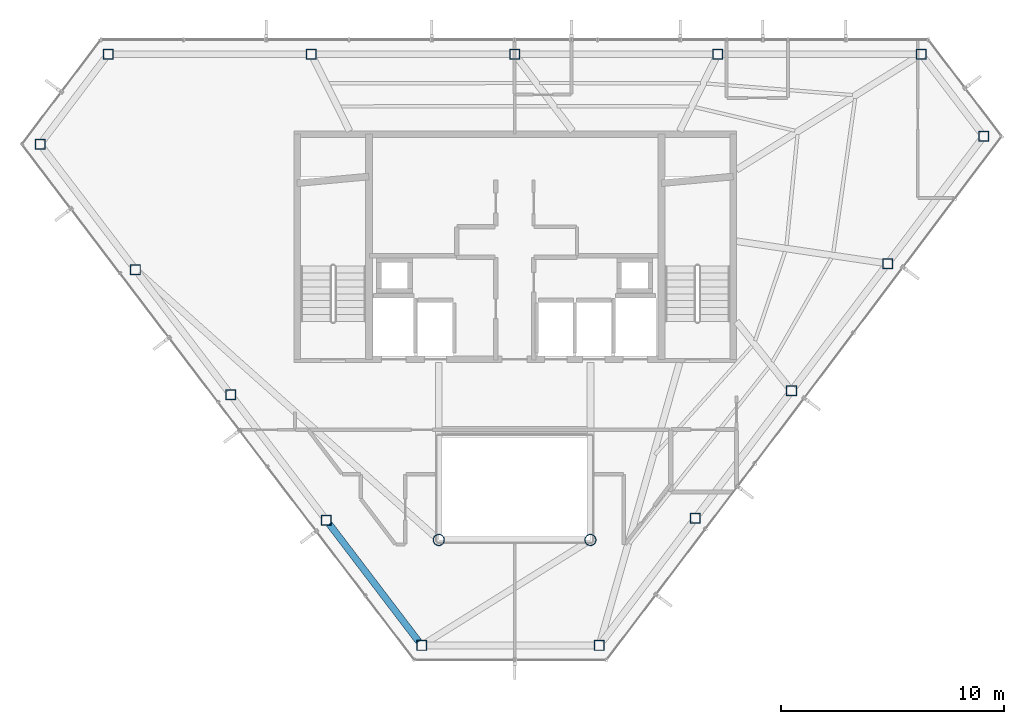
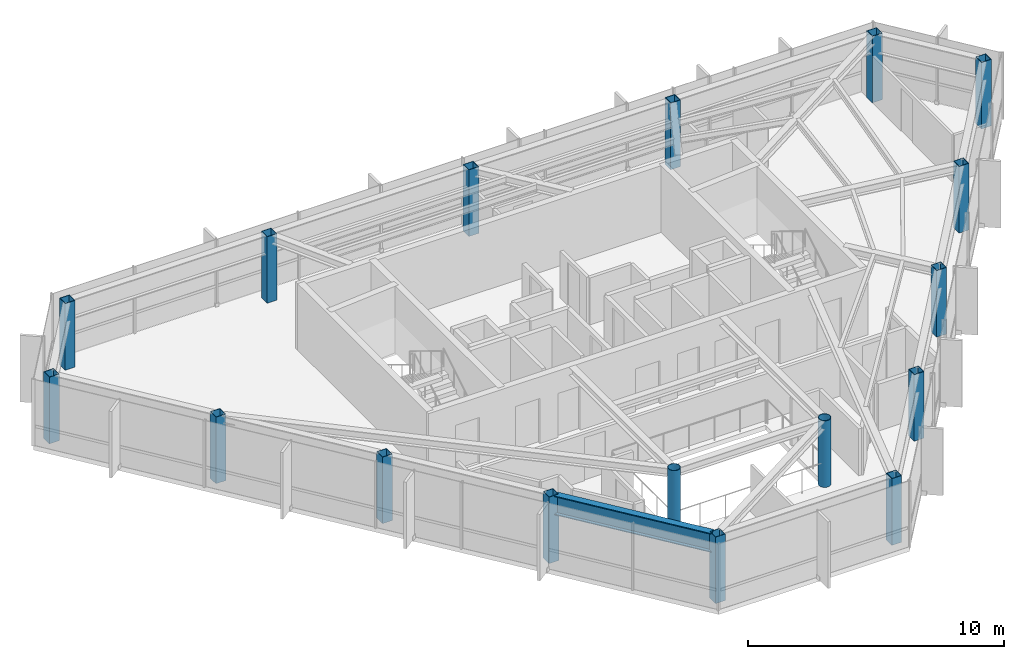
# One storey, part 1 of 23: 17 columns, 1 beam.
"""IFC4 building model written with IfcOpenShell, lengths in metres."""

from ifc_helpers import new_model, si_unit, direction, frame, origin, origin_2d, place, context, subcontext, project, spatial, hollow_rectangle, hollow_circle, i_section, extrude, material, material_profile, profile_set, type_object, element, save


model = new_model("IFC4")

# Units and contexts
model_context = context("Model", 3, precision=1e-05, world=origin(), true_north=direction((0.0, 1.0)))
body_context = subcontext(model_context, "Body", "Model", "MODEL_VIEW")
ifc_project = project(units=[si_unit("LENGTHUNIT", "METRE"), si_unit("AREAUNIT", "SQUARE_METRE"), si_unit("VOLUMEUNIT", "CUBIC_METRE"), si_unit("PLANEANGLEUNIT", "RADIAN"), si_unit("MASSUNIT", "GRAM", prefix="KILO")], contexts=[model_context])

# Site, building, storey
site_placement = place(None, origin())
site = spatial("IfcSite", under=ifc_project, at=site_placement, CompositionType="ELEMENT")
building_placement = place(site_placement, origin())
building = spatial("IfcBuilding", under=site, at=building_placement, Name="Zarrinselat Tower", CompositionType="ELEMENT")
storey_placement = place(building_placement, frame((0.0, 0.0, 278.800048828125)))
storey = spatial("IfcBuildingStorey", under=building, at=storey_placement, Name="L71", CompositionType="ELEMENT", Elevation=278.800048828125)

# Columns
ifc_material_1 = material(Name="Steel S355J2", Category="steel")
ifc_material_profile_1 = material_profile(ifc_material_1, hollow_circle(Radius=0.25390625, WallThickness=0.02001953125, at=origin_2d()), Name="CHS 508x20")
ifc_profile_set_1 = profile_set([ifc_material_profile_1], Name="Steel S355J2")
column_type_1 = type_object("IfcColumnType", Name="COL-CHS508", PredefinedType="COLUMN", material=ifc_profile_set_1)
for number, where, z_axis, x_axis, name in (
    (1, (35.0, 25.199951171875, 0.0), (0.0, 0.0, 1.0), (1.0, 0.0, 0.0), "L71 Atrium Corner Column 1"),
    (2, (41.800048828125, 25.199951171875, 0.0), (0.0, 0.0, 1.0), (1.0, 0.0, 0.0), "L71 Atrium Corner Column 2"),
):
    element("IfcColumn", number, at=place(storey_placement, frame(where, z_axis=z_axis, x_axis=x_axis)), inside=storey, type_object=column_type_1, Name=name, PredefinedType="COLUMN", context=body_context, shape_type="SweptSolid", body=[
        extrude(hollow_circle(Radius=0.25390625, WallThickness=0.02001953125, at=origin_2d()), origin(), (0.0, 0.0, 1.0), 3.179931640625),
    ])
ifc_material_2 = material(Name="Steel S355J2", Category="steel")
ifc_material_profile_2 = material_profile(ifc_material_2, hollow_rectangle(XDim=0.449951171875, YDim=0.449951171875, WallThickness=0.02197265625, at=origin_2d()), Name="SHS 450x450x22")
ifc_profile_set_2 = profile_set([ifc_material_profile_2], Name="Steel S355J2")
column_type_2 = type_object("IfcColumnType", Name="COL-SHS450", PredefinedType="COLUMN", material=ifc_profile_set_2)
for number, where, z_axis, x_axis, name in (
    (3, (56.63330078125, 46.9833984375, 0.0), (0.0, 0.0, 1.0), (1.0, 0.0, 0.0), "L71 Framed-Tube Column T01"),
    (4, (47.5166015625, 46.9833984375, 0.0), (0.0, 0.0, 1.0), (1.0, 0.0, 0.0), "L71 Framed-Tube Column T02"),
    (5, (38.400146484375, 46.9833984375, 0.0), (0.0, 0.0, 1.0), (1.0, 0.0, 0.0), "L71 Framed-Tube Column T03"),
    (6, (29.283447265625, 46.9833984375, 0.0), (0.0, 0.0, 1.0), (1.0, 0.0, 0.0), "L71 Framed-Tube Column T04"),
    (7, (20.166748046875, 46.9833984375, 0.0), (0.0, 0.0, 1.0), (1.0, 0.0, 0.0), "L71 Framed-Tube Column T05"),
    (8, (17.119384765625, 42.94580078125, 0.0), (0.0, 0.0, 1.0), (1.0, 0.0, 0.0), "L71 Framed-Tube Column T06"),
    (9, (21.3974609375, 37.32666015625, 0.0), (0.0, 0.0, 1.0), (1.0, 0.0, 0.0), "L71 Framed-Tube Column T07"),
    (10, (25.675537109375, 31.70751953125, 0.0), (0.0, 0.0, 1.0), (1.0, 0.0, 0.0), "L71 Framed-Tube Column T08"),
    (11, (29.953857421875, 26.08837890625, 0.0), (0.0, 0.0, 1.0), (1.0, 0.0, 0.0), "L71 Framed-Tube Column T09"),
    (12, (34.23193359375, 20.468994140625, 0.0), (0.0, 0.0, 1.0), (1.0, 0.0, 0.0), "L71 Framed-Tube Column T10"),
    (13, (42.198974609375, 20.468994140625, 0.0), (0.0, 0.0, 1.0), (1.0, 0.0, 0.0), "L71 Framed-Tube Column T11"),
    (14, (46.5078125, 26.177734375, 0.0), (0.0, 0.0, 1.0), (1.0, 0.0, 0.0), "L71 Framed-Tube Column T12"),
    (15, (50.81689453125, 31.886474609375, 0.0), (0.0, 0.0, 1.0), (1.0, 0.0, 0.0), "L71 Framed-Tube Column T13"),
    (16, (55.125732421875, 37.59521484375, 0.0), (0.0, 0.0, 1.0), (1.0, 0.0, 0.0), "L71 Framed-Tube Column T14"),
    (17, (59.4345703125, 43.303955078125, 0.0), (0.0, 0.0, 1.0), (1.0, 0.0, 0.0), "L71 Framed-Tube Column T15"),
):
    element("IfcColumn", number, at=place(storey_placement, frame(where, z_axis=z_axis, x_axis=x_axis)), inside=storey, type_object=column_type_2, Name=name, PredefinedType="COLUMN", context=body_context, shape_type="SweptSolid", body=[
        extrude(hollow_rectangle(XDim=0.449951171875, YDim=0.449951171875, WallThickness=0.02197265625, at=origin_2d()), origin(), (0.0, 0.0, 1.0), 3.179931640625),
    ])

# Beam
ifc_material_3 = material(Name="Steel S460M", Category="steel")
ifc_material_profile_3 = material_profile(ifc_material_3, i_section(OverallWidth=0.302001953125, OverallDepth=0.909912109375, WebThickness=0.02099609375, FlangeThickness=0.0400390625, at=origin_2d()), Name="HEM 900")
ifc_profile_set_3 = profile_set([ifc_material_profile_3], Name="Steel S460M")
beam_type = type_object("IfcBeamType", Name="BM-HEM900", PredefinedType="BEAM", material=ifc_profile_set_3)
beam_placement = place(storey_placement, frame((30.082763671875, 25.918701171875, 2.724853515625), z_axis=(0.605793795284, -0.795621692512, 0.0), x_axis=(0.795621692512, 0.605793795284, 0.0)))
element("IfcBeam", 18, at=beam_placement, inside=storey, type_object=beam_type, Name="L71 Perimeter Spandrel Girder SP09", PredefinedType="BEAM", context=body_context, shape_type="SweptSolid", body=[
    extrude(i_section(OverallWidth=0.302001953125, OverallDepth=0.909912109375, WebThickness=0.02099609375, FlangeThickness=0.0400390625, at=origin_2d()), origin(), (0.0, 0.0, 1.0), 6.636474609375),
])

save(model, "model.ifc")
